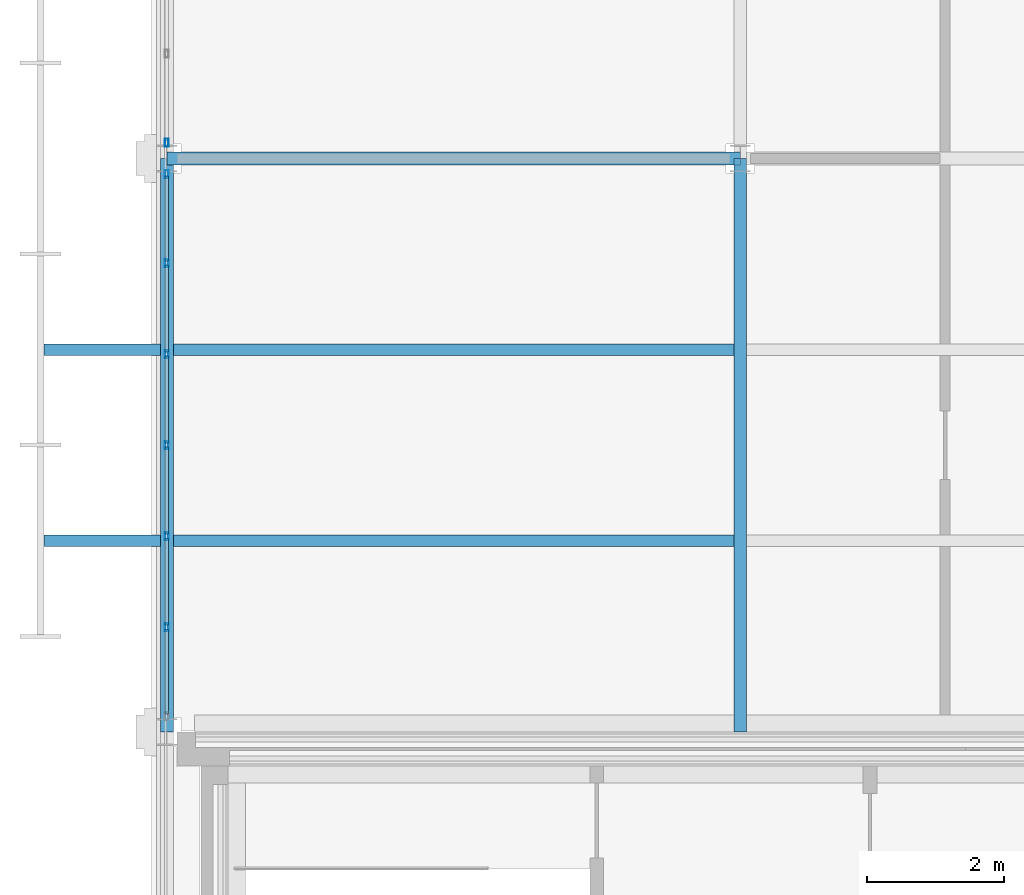
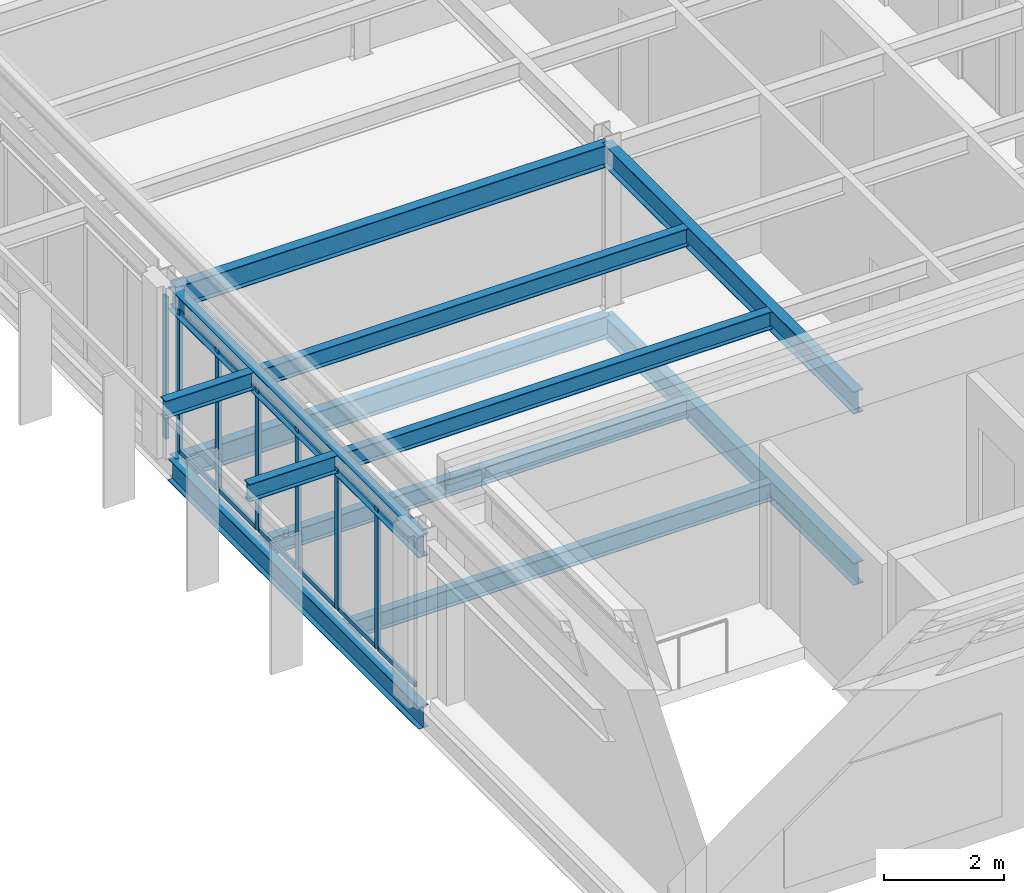
# One storey, part 6 of 31: 19 members, 12 beams, 2 elements without a shape of their own.
"""IFC4 building model written with IfcOpenShell, lengths in metres."""

from ifc_helpers import new_model, si_unit, direction, frame, origin, origin_2d, place, context, subcontext, project, spatial, hollow_rectangle, i_section, extrude, material, material_profile, profile_set, type_object, element, aggregate, save


model = new_model("IFC4")

# Units and contexts
model_context = context("Model", 3, precision=1e-05, world=origin(), true_north=direction((0.0, 1.0)))
body_context = subcontext(model_context, "Body", "Model", "MODEL_VIEW")
ifc_project = project(units=[si_unit("LENGTHUNIT", "METRE"), si_unit("AREAUNIT", "SQUARE_METRE"), si_unit("VOLUMEUNIT", "CUBIC_METRE"), si_unit("PLANEANGLEUNIT", "RADIAN"), si_unit("MASSUNIT", "GRAM", prefix="KILO")], contexts=[model_context])

# Site, building, storey
site_placement = place(None, origin())
site = spatial("IfcSite", under=ifc_project, at=site_placement, CompositionType="ELEMENT")
building_placement = place(site_placement, origin())
building = spatial("IfcBuilding", under=site, at=building_placement, Name="Catenary Quay Ferry Terminal", CompositionType="ELEMENT")
storey_placement = place(building_placement, frame((0.0, 0.0, 20.60009765625)))
storey = spatial("IfcBuildingStorey", under=building, at=storey_placement, Name="L04", CompositionType="ELEMENT", Elevation=20.60009765625)

# Beams
ifc_material_1 = material(Name="Steel S355", Category="steel")
ifc_material_profile_1 = material_profile(ifc_material_1, i_section(OverallWidth=0.18994140625, OverallDepth=0.453369140625, WebThickness=0.008544921875, FlangeThickness=0.0126953125, at=origin_2d()), Name="UB 457x191x67")
ifc_profile_set_1 = profile_set([ifc_material_profile_1], Name="Steel S355")
beam_type_1 = type_object("IfcBeamType", Name="B1 UB 457x191x67", PredefinedType="BEAM", material=ifc_profile_set_1)
beam_1_placement = place(storey_placement, frame((25.199951171875, 176.39990234375, -0.47705078125), z_axis=(1.0, 0.0, 0.0), x_axis=(0.0, 1.0, 0.0)))
element("IfcBeam", 1, at=beam_1_placement, inside=storey, type_object=beam_type_1, Name="Beam B1-001", PredefinedType="BEAM", context=body_context, shape_type="SweptSolid", body=[
    extrude(i_section(OverallWidth=0.18994140625, OverallDepth=0.453369140625, WebThickness=0.008544921875, FlangeThickness=0.0126953125, at=origin_2d()), origin(), (0.0, 0.0, 1.0), 8.400146484375),
])
for number, where, z_axis, x_axis, name in (
    (2, (25.199951171875, 168.0, -0.47705078125), (0.0, 1.0, 0.0), (-1.0, 0.0, 0.0), "Beam B1-011"),
    (3, (33.60009765625, 168.0, -0.47705078125), (0.0, 1.0, 0.0), (-1.0, 0.0, 0.0), "Beam B1-022"),
):
    element("IfcBeam", number, at=place(storey_placement, frame(where, z_axis=z_axis, x_axis=x_axis)), inside=storey, type_object=beam_type_1, Name=name, PredefinedType="BEAM", context=body_context, shape_type="SweptSolid", body=[
        extrude(i_section(OverallWidth=0.18994140625, OverallDepth=0.453369140625, WebThickness=0.008544921875, FlangeThickness=0.0126953125, at=origin_2d()), origin(), (0.0, 0.0, 1.0), 8.39990234375),
    ])
beam_2_placement = place(storey_placement, frame((25.199951171875, 176.39990234375, 3.02294921875), z_axis=(1.0, 0.0, 0.0), x_axis=(0.0, 1.0, 0.0)))
element("IfcBeam", 4, at=beam_2_placement, inside=storey, type_object=beam_type_1, Name="Beam B1-001", PredefinedType="BEAM", context=body_context, shape_type="SweptSolid", body=[
    extrude(i_section(OverallWidth=0.18994140625, OverallDepth=0.453369140625, WebThickness=0.008544921875, FlangeThickness=0.0126953125, at=origin_2d()), origin(), (0.0, 0.0, 1.0), 8.400146484375),
])
for number, where, z_axis, x_axis, name in (
    (5, (25.199951171875, 168.0, 3.02294921875), (0.0, 1.0, 0.0), (-1.0, 0.0, 0.0), "Beam B1-008"),
    (6, (33.60009765625, 168.0, 3.02294921875), (0.0, 1.0, 0.0), (-1.0, 0.0, 0.0), "Beam B1-015"),
):
    element("IfcBeam", number, at=place(storey_placement, frame(where, z_axis=z_axis, x_axis=x_axis)), inside=storey, type_object=beam_type_1, Name=name, PredefinedType="BEAM", context=body_context, shape_type="SweptSolid", body=[
        extrude(i_section(OverallWidth=0.18994140625, OverallDepth=0.453369140625, WebThickness=0.008544921875, FlangeThickness=0.0126953125, at=origin_2d()), origin(), (0.0, 0.0, 1.0), 8.39990234375),
    ])
ifc_material_2 = material(Name="Steel S355", Category="steel")
ifc_material_profile_2 = material_profile(ifc_material_2, i_section(OverallWidth=0.169921875, OverallDepth=0.360107421875, WebThickness=0.008056640625, FlangeThickness=0.0126953125, at=origin_2d()), Name="IPE 360")
ifc_profile_set_2 = profile_set([ifc_material_profile_2], Name="Steel S355")
beam_type_2 = type_object("IfcBeamType", Name="B7 IPE 360", PredefinedType="BEAM", material=ifc_profile_set_2)
for number, where, z_axis, x_axis, name in (
    (7, (25.294921875, 170.800048828125, -0.43017578125), (1.0, 0.0, 0.0), (0.0, 1.0, 0.0), "Beam B7-001"),
    (8, (25.294921875, 173.60009765625, -0.43017578125), (1.0, 0.0, 0.0), (0.0, 1.0, 0.0), "Beam B7-004"),
    (9, (25.294921875, 170.800048828125, 3.06982421875), (1.0, 0.0, 0.0), (0.0, 1.0, 0.0), "Beam B7-001"),
    (10, (25.294921875, 173.60009765625, 3.06982421875), (1.0, 0.0, 0.0), (0.0, 1.0, 0.0), "Beam B7-003"),
):
    element("IfcBeam", number, at=place(storey_placement, frame(where, z_axis=z_axis, x_axis=x_axis)), inside=storey, type_object=beam_type_2, Name=name, PredefinedType="BEAM", context=body_context, shape_type="SweptSolid", body=[
        extrude(i_section(OverallWidth=0.169921875, OverallDepth=0.360107421875, WebThickness=0.008056640625, FlangeThickness=0.0126953125, at=origin_2d()), origin(), (0.0, 0.0, 1.0), 8.2099609375),
    ])
ifc_material_3 = material(Name="Steel S355", Category="steel")
ifc_material_profile_3 = material_profile(ifc_material_3, i_section(OverallWidth=0.169921875, OverallDepth=0.360107421875, WebThickness=0.008056640625, FlangeThickness=0.0126953125, at=origin_2d()), Name="IPE 360")
ifc_profile_set_3 = profile_set([ifc_material_profile_3], Name="Steel S355")
beam_type_3 = type_object("IfcBeamType", Name="B9 IPE 360", PredefinedType="BEAM", material=ifc_profile_set_3)
for number, where, z_axis, x_axis, name in (
    (11, (25.1044921875, 170.800048828125, 3.06982421875), (-1.0, 0.0, 0.0), (0.0, -1.0, 0.0), "Eaves cantilever W1"),
    (12, (25.1044921875, 173.60009765625, 3.06982421875), (-1.0, 0.0, 0.0), (0.0, -1.0, 0.0), "Eaves cantilever W2"),
):
    element("IfcBeam", number, at=place(storey_placement, frame(where, z_axis=z_axis, x_axis=x_axis)), inside=storey, type_object=beam_type_3, Name=name, PredefinedType="BEAM", context=body_context, shape_type="SweptSolid", body=[
        extrude(i_section(OverallWidth=0.169921875, OverallDepth=0.360107421875, WebThickness=0.008056640625, FlangeThickness=0.0126953125, at=origin_2d()), origin(), (0.0, 0.0, 1.0), 1.70458984375),
    ])

# Curtain wall, members
ifc_material_4 = material(Name="Aluminium and glass", Category="aluminium")
curtain_wall_type = type_object("IfcCurtainWallType", Name="CWW5", PredefinedType="NOTDEFINED", material=ifc_material_4)
curtain_wall_1_placement = place(storey_placement, origin())
curtain_wall_1 = element("IfcCurtainWall", 13, at=curtain_wall_1_placement, inside=storey, type_object=curtain_wall_type, Name="Wing curtain wall CW154", PredefinedType="NOTDEFINED")
ifc_material_5 = material(Name="Aluminium", Category="aluminium")
ifc_material_profile_4 = material_profile(ifc_material_5, hollow_rectangle(XDim=0.06005859375, YDim=0.1201171875, WallThickness=0.0048828125, at=origin_2d()), Name="MU4")
ifc_profile_set_4 = profile_set([ifc_material_profile_4], Name="Aluminium")
member_type_1 = type_object("IfcMemberType", Name="MU4", PredefinedType="MULLION", material=ifc_profile_set_4)
member_1_placement = place(storey_placement, frame((25.199951171875, 169.533447265625, 0.0), z_axis=(0.0, 0.0, 1.0), x_axis=(-1.0, 0.0, 0.0)))
member_1 = element("IfcMember", 14, at=member_1_placement, type_object=member_type_1, Name="CW154 mullion 2", PredefinedType="MULLION", context=body_context, shape_type="SweptSolid", body=[
    extrude(hollow_rectangle(XDim=0.06005859375, YDim=0.1201171875, WallThickness=0.0048828125, at=origin_2d()), origin(), (0.0, 0.0, 1.0), 2.89990234375),
])
member_2_placement = place(storey_placement, frame((25.199951171875, 170.86669921875, 0.0), z_axis=(0.0, 0.0, 1.0), x_axis=(-1.0, 0.0, 0.0)))
member_2 = element("IfcMember", 15, at=member_2_placement, type_object=member_type_1, Name="CW154 mullion 3", PredefinedType="MULLION", context=body_context, shape_type="SweptSolid", body=[
    extrude(hollow_rectangle(XDim=0.06005859375, YDim=0.1201171875, WallThickness=0.0048828125, at=origin_2d()), origin(), (0.0, 0.0, 1.0), 2.89990234375),
])
member_3_placement = place(storey_placement, frame((25.199951171875, 172.199951171875, 0.0), z_axis=(0.0, 0.0, 1.0), x_axis=(-1.0, 0.0, 0.0)))
member_3 = element("IfcMember", 16, at=member_3_placement, type_object=member_type_1, Name="CW154 mullion 4", PredefinedType="MULLION", context=body_context, shape_type="SweptSolid", body=[
    extrude(hollow_rectangle(XDim=0.06005859375, YDim=0.1201171875, WallThickness=0.0048828125, at=origin_2d()), origin(), (0.0, 0.0, 1.0), 2.89990234375),
])
member_4_placement = place(storey_placement, frame((25.199951171875, 173.533447265625, 0.0), z_axis=(0.0, 0.0, 1.0), x_axis=(-1.0, 0.0, 0.0)))
member_4 = element("IfcMember", 17, at=member_4_placement, type_object=member_type_1, Name="CW154 mullion 5", PredefinedType="MULLION", context=body_context, shape_type="SweptSolid", body=[
    extrude(hollow_rectangle(XDim=0.06005859375, YDim=0.1201171875, WallThickness=0.0048828125, at=origin_2d()), origin(), (0.0, 0.0, 1.0), 2.89990234375),
])
member_5_placement = place(storey_placement, frame((25.199951171875, 174.86669921875, 0.0), z_axis=(0.0, 0.0, 1.0), x_axis=(-1.0, 0.0, 0.0)))
member_5 = element("IfcMember", 18, at=member_5_placement, type_object=member_type_1, Name="CW154 mullion 6", PredefinedType="MULLION", context=body_context, shape_type="SweptSolid", body=[
    extrude(hollow_rectangle(XDim=0.06005859375, YDim=0.1201171875, WallThickness=0.0048828125, at=origin_2d()), origin(), (0.0, 0.0, 1.0), 2.89990234375),
])
member_6_placement = place(storey_placement, frame((25.199951171875, 176.169921875, 0.0), z_axis=(0.0, 0.0, 1.0), x_axis=(-1.0, 0.0, 0.0)))
member_6 = element("IfcMember", 19, at=member_6_placement, type_object=member_type_1, Name="CW154 mullion 7", PredefinedType="MULLION", context=body_context, shape_type="SweptSolid", body=[
    extrude(hollow_rectangle(XDim=0.06005859375, YDim=0.1201171875, WallThickness=0.0048828125, at=origin_2d()), origin(), (0.0, 0.0, 1.0), 2.89990234375),
])

# Curtain wall, member
curtain_wall_2_placement = place(storey_placement, origin())
curtain_wall_2 = element("IfcCurtainWall", 20, at=curtain_wall_2_placement, inside=storey, type_object=curtain_wall_type, Name="Wing curtain wall CW155", PredefinedType="NOTDEFINED")
member_7_placement = place(storey_placement, frame((25.199951171875, 176.6298828125, 0.0), z_axis=(0.0, 0.0, 1.0), x_axis=(-1.0, 0.0, 0.0)))
member_7 = element("IfcMember", 21, at=member_7_placement, type_object=member_type_1, Name="CW155 mullion 1", PredefinedType="MULLION", context=body_context, shape_type="SweptSolid", body=[
    extrude(hollow_rectangle(XDim=0.06005859375, YDim=0.1201171875, WallThickness=0.0048828125, at=origin_2d()), origin(), (0.0, 0.0, 1.0), 2.89990234375),
])
aggregate(curtain_wall_2, [member_7])

# Member
ifc_material_6 = material(Name="Aluminium", Category="aluminium")
ifc_material_profile_5 = material_profile(ifc_material_6, hollow_rectangle(XDim=0.050048828125, YDim=0.10009765625, WallThickness=0.00390625, at=origin_2d()), Name="TR4")
ifc_profile_set_5 = profile_set([ifc_material_profile_5], Name="Aluminium")
member_type_2 = type_object("IfcMemberType", Name="TR4", PredefinedType="USERDEFINED", material=ifc_profile_set_5)
member_8_placement = place(storey_placement, frame((25.199951171875, 168.260009765625, 0.02490234375), z_axis=(0.0, 1.0, 0.0), x_axis=(-1.0, 0.0, 0.0)))
member_8 = element("IfcMember", 22, at=member_8_placement, type_object=member_type_2, Name="CW154 transom 1.1", ObjectType="TRANSOM", PredefinedType="USERDEFINED", context=body_context, shape_type="SweptSolid", body=[
    extrude(hollow_rectangle(XDim=0.050048828125, YDim=0.10009765625, WallThickness=0.00390625, at=origin_2d()), origin(), (0.0, 0.0, 1.0), 1.243408203125),
])

member_9_placement = place(storey_placement, frame((25.199951171875, 168.260009765625, 2.875), z_axis=(0.0, 1.0, 0.0), x_axis=(-1.0, 0.0, 0.0)))
member_9 = element("IfcMember", 23, at=member_9_placement, type_object=member_type_2, Name="CW154 transom 1.2", ObjectType="TRANSOM", PredefinedType="USERDEFINED", context=body_context, shape_type="SweptSolid", body=[
    extrude(hollow_rectangle(XDim=0.050048828125, YDim=0.10009765625, WallThickness=0.00390625, at=origin_2d()), origin(), (0.0, 0.0, 1.0), 1.243408203125),
])

member_10_placement = place(storey_placement, frame((25.199951171875, 169.563232421875, 0.02490234375), z_axis=(0.0, 1.0, 0.0), x_axis=(-1.0, 0.0, 0.0)))
member_10 = element("IfcMember", 24, at=member_10_placement, type_object=member_type_2, Name="CW154 transom 2.1", ObjectType="TRANSOM", PredefinedType="USERDEFINED", context=body_context, shape_type="SweptSolid", body=[
    extrude(hollow_rectangle(XDim=0.050048828125, YDim=0.10009765625, WallThickness=0.00390625, at=origin_2d()), origin(), (0.0, 0.0, 1.0), 1.2734375),
])

member_11_placement = place(storey_placement, frame((25.199951171875, 169.563232421875, 2.875), z_axis=(0.0, 1.0, 0.0), x_axis=(-1.0, 0.0, 0.0)))
member_11 = element("IfcMember", 25, at=member_11_placement, type_object=member_type_2, Name="CW154 transom 2.2", ObjectType="TRANSOM", PredefinedType="USERDEFINED", context=body_context, shape_type="SweptSolid", body=[
    extrude(hollow_rectangle(XDim=0.050048828125, YDim=0.10009765625, WallThickness=0.00390625, at=origin_2d()), origin(), (0.0, 0.0, 1.0), 1.2734375),
])

member_12_placement = place(storey_placement, frame((25.199951171875, 170.896728515625, 0.02490234375), z_axis=(0.0, 1.0, 0.0), x_axis=(-1.0, 0.0, 0.0)))
member_12 = element("IfcMember", 26, at=member_12_placement, type_object=member_type_2, Name="CW154 transom 3.1", ObjectType="TRANSOM", PredefinedType="USERDEFINED", context=body_context, shape_type="SweptSolid", body=[
    extrude(hollow_rectangle(XDim=0.050048828125, YDim=0.10009765625, WallThickness=0.00390625, at=origin_2d()), origin(), (0.0, 0.0, 1.0), 1.273193359375),
])

member_13_placement = place(storey_placement, frame((25.199951171875, 170.896728515625, 2.875), z_axis=(0.0, 1.0, 0.0), x_axis=(-1.0, 0.0, 0.0)))
member_13 = element("IfcMember", 27, at=member_13_placement, type_object=member_type_2, Name="CW154 transom 3.2", ObjectType="TRANSOM", PredefinedType="USERDEFINED", context=body_context, shape_type="SweptSolid", body=[
    extrude(hollow_rectangle(XDim=0.050048828125, YDim=0.10009765625, WallThickness=0.00390625, at=origin_2d()), origin(), (0.0, 0.0, 1.0), 1.273193359375),
])

member_14_placement = place(storey_placement, frame((25.199951171875, 172.22998046875, 0.02490234375), z_axis=(0.0, 1.0, 0.0), x_axis=(-1.0, 0.0, 0.0)))
member_14 = element("IfcMember", 28, at=member_14_placement, type_object=member_type_2, Name="CW154 transom 4.1", ObjectType="TRANSOM", PredefinedType="USERDEFINED", context=body_context, shape_type="SweptSolid", body=[
    extrude(hollow_rectangle(XDim=0.050048828125, YDim=0.10009765625, WallThickness=0.00390625, at=origin_2d()), origin(), (0.0, 0.0, 1.0), 1.2734375),
])

member_15_placement = place(storey_placement, frame((25.199951171875, 172.22998046875, 2.875), z_axis=(0.0, 1.0, 0.0), x_axis=(-1.0, 0.0, 0.0)))
member_15 = element("IfcMember", 29, at=member_15_placement, type_object=member_type_2, Name="CW154 transom 4.2", ObjectType="TRANSOM", PredefinedType="USERDEFINED", context=body_context, shape_type="SweptSolid", body=[
    extrude(hollow_rectangle(XDim=0.050048828125, YDim=0.10009765625, WallThickness=0.00390625, at=origin_2d()), origin(), (0.0, 0.0, 1.0), 1.2734375),
])

member_16_placement = place(storey_placement, frame((25.199951171875, 173.563232421875, 0.02490234375), z_axis=(0.0, 1.0, 0.0), x_axis=(-1.0, 0.0, 0.0)))
member_16 = element("IfcMember", 30, at=member_16_placement, type_object=member_type_2, Name="CW154 transom 5.1", ObjectType="TRANSOM", PredefinedType="USERDEFINED", context=body_context, shape_type="SweptSolid", body=[
    extrude(hollow_rectangle(XDim=0.050048828125, YDim=0.10009765625, WallThickness=0.00390625, at=origin_2d()), origin(), (0.0, 0.0, 1.0), 1.2734375),
])

member_17_placement = place(storey_placement, frame((25.199951171875, 173.563232421875, 2.875), z_axis=(0.0, 1.0, 0.0), x_axis=(-1.0, 0.0, 0.0)))
member_17 = element("IfcMember", 31, at=member_17_placement, type_object=member_type_2, Name="CW154 transom 5.2", ObjectType="TRANSOM", PredefinedType="USERDEFINED", context=body_context, shape_type="SweptSolid", body=[
    extrude(hollow_rectangle(XDim=0.050048828125, YDim=0.10009765625, WallThickness=0.00390625, at=origin_2d()), origin(), (0.0, 0.0, 1.0), 1.2734375),
])

member_18_placement = place(storey_placement, frame((25.199951171875, 174.896728515625, 0.02490234375), z_axis=(0.0, 1.0, 0.0), x_axis=(-1.0, 0.0, 0.0)))
member_18 = element("IfcMember", 32, at=member_18_placement, type_object=member_type_2, Name="CW154 transom 6.1", ObjectType="TRANSOM", PredefinedType="USERDEFINED", context=body_context, shape_type="SweptSolid", body=[
    extrude(hollow_rectangle(XDim=0.050048828125, YDim=0.10009765625, WallThickness=0.00390625, at=origin_2d()), origin(), (0.0, 0.0, 1.0), 1.2431640625),
])

member_19_placement = place(storey_placement, frame((25.199951171875, 174.896728515625, 2.875), z_axis=(0.0, 1.0, 0.0), x_axis=(-1.0, 0.0, 0.0)))
member_19 = element("IfcMember", 33, at=member_19_placement, type_object=member_type_2, Name="CW154 transom 6.2", ObjectType="TRANSOM", PredefinedType="USERDEFINED", context=body_context, shape_type="SweptSolid", body=[
    extrude(hollow_rectangle(XDim=0.050048828125, YDim=0.10009765625, WallThickness=0.00390625, at=origin_2d()), origin(), (0.0, 0.0, 1.0), 1.2431640625),
])

aggregate(curtain_wall_1, [member_1, member_2, member_3, member_4, member_5, member_6, member_8, member_9, member_10, member_11, member_12, member_13, member_14, member_15, member_16, member_17, member_18, member_19])

save(model, "model.ifc")
